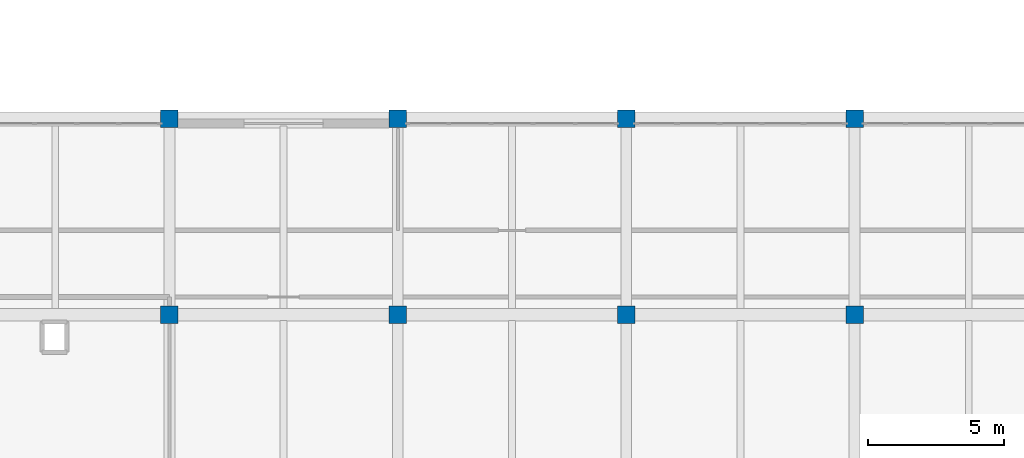
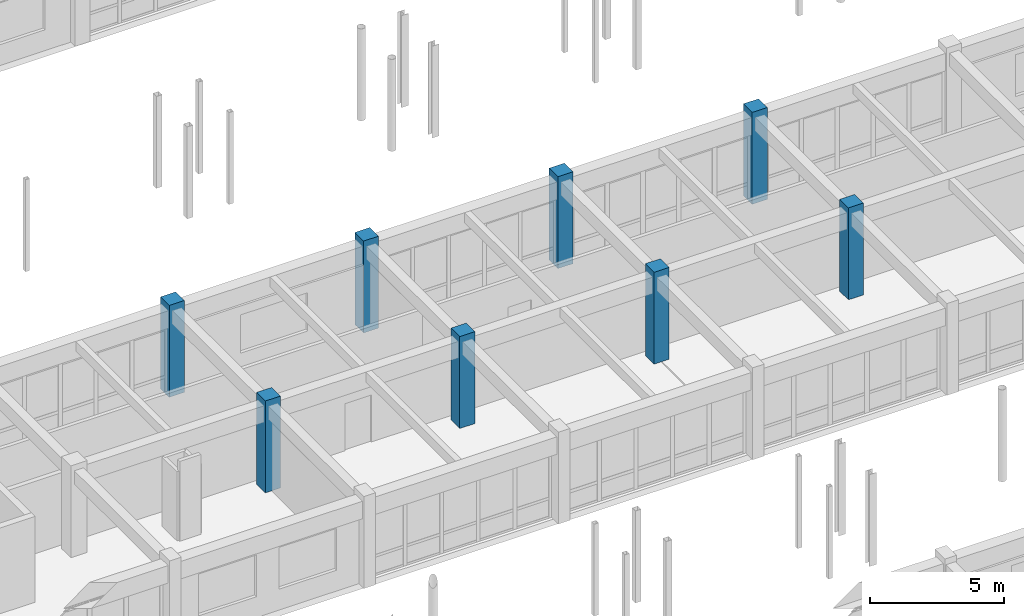
# One storey, part 14 of 147: 8 columns.
"""IFC4 building model written with IfcOpenShell, lengths in metres."""

import ifcopenshell
import ifcopenshell.guid

model = None  # the IFC model being written
_history = None  # IfcOwnerHistory: only IFC2X3 demands one
_inside = {}  # id of a spatial element -> (the spatial element, [elements in it])
_under = {}  # id of a project, library or spatial element -> (it, [spatial elements below it])
_declared = {}  # id of a project -> (the project, [libraries it declares])
_typed = {}  # id of a type object -> (the type object, [elements of that type])
_made_of = {}  # id of a material, layer set ... -> (it, [elements and type objects made of it])


def new_model(schema):
    """Start an empty IFC model of exactly this schema.

    Asked for "IFC4X3", IfcOpenShell would pick the latest addendum, in which some entities
    have other attributes; the version numbers below select the first issue.
    IFC2X3 requires an IfcOwnerHistory on every rooted entity: one is made here for all.
    """
    global model, _history
    if schema == "IFC4X3":
        model = ifcopenshell.file(schema_version=(4, 3, 0, 0))
    else:
        model = ifcopenshell.file(schema=schema)
    _inside.clear()
    _under.clear()
    _declared.clear()
    _typed.clear()
    _made_of.clear()
    _history = None
    if model.schema == "IFC2X3":
        org = make("IfcOrganization", Name="unknown")
        user = make(
            "IfcPersonAndOrganization",
            ThePerson=make("IfcPerson", FamilyName="unknown"),
            TheOrganization=org,
        )
        app = make(
            "IfcApplication",
            ApplicationDeveloper=org,
            Version="unknown",
            ApplicationFullName="unknown",
            ApplicationIdentifier="unknown",
        )
        _history = make(
            "IfcOwnerHistory",
            OwningUser=user,
            OwningApplication=app,
            ChangeAction="ADDED",
            CreationDate=0,
        )
    return model


def make(cls, **values):
    """One entity of the class cls with the attributes given. An attribute that is None is left unset."""
    return model.create_entity(
        cls, **{name: value for name, value in values.items() if value is not None}
    )


def rooted(cls, **values):
    """An entity with a GlobalId (a new one), such as an element, a storey or a relation."""
    return make(cls, GlobalId=ifcopenshell.guid.new(), OwnerHistory=_history, **values)


def si_unit(unit_type, name, prefix=None):
    """IfcSIUnit, for example si_unit("LENGTHUNIT", "METRE", prefix="MILLI")."""
    return make("IfcSIUnit", UnitType=unit_type, Prefix=prefix, Name=name)


def assignment(units):
    """IfcUnitAssignment: the units of a project."""
    return None if units is None else make("IfcUnitAssignment", Units=units)


def point(xyz):
    """IfcCartesianPoint."""
    return None if xyz is None else make("IfcCartesianPoint", Coordinates=xyz)


def direction(xyz):
    """IfcDirection."""
    return None if xyz is None else make("IfcDirection", DirectionRatios=xyz)


def frame(location, z_axis=None, x_axis=None):
    """IfcAxis2Placement3D, a coordinate frame: its origin and axes. An axis left out is left unset."""
    return make(
        "IfcAxis2Placement3D",
        Location=point(location),
        Axis=direction(z_axis),
        RefDirection=direction(x_axis),
    )


def frame_2d(location, x_axis=None):
    """IfcAxis2Placement2D, a coordinate frame in the plane: its origin and x axis."""
    return make(
        "IfcAxis2Placement2D", Location=point(location), RefDirection=direction(x_axis)
    )


def origin():
    """The frame at (0, 0, 0) with its axes left unset."""
    return frame((0.0, 0.0, 0.0))


def origin_2d():
    """The frame at (0, 0) in the plane with its x axis left unset."""
    return frame_2d((0.0, 0.0))


def place(relative_to, where):
    """IfcLocalPlacement: puts the frame where relative to a parent placement (None: the world)."""
    return make(
        "IfcLocalPlacement", PlacementRelTo=relative_to, RelativePlacement=where
    )


def context(
    kind, dimensions, precision=None, world=None, true_north=None, identifier=None
):
    """IfcGeometricRepresentationContext, for example the 3D "Model" context."""
    return make(
        "IfcGeometricRepresentationContext",
        ContextIdentifier=identifier,
        ContextType=kind,
        CoordinateSpaceDimension=dimensions,
        Precision=precision,
        WorldCoordinateSystem=world,
        TrueNorth=true_north,
    )


def subcontext(parent, identifier, kind, view, scale=None):
    """IfcGeometricRepresentationSubContext, for example "Body" below "Model"."""
    return make(
        "IfcGeometricRepresentationSubContext",
        ContextIdentifier=identifier,
        ContextType=kind,
        ParentContext=parent,
        TargetScale=scale,
        TargetView=view,
    )


def project(units=None, contexts=None):
    """IfcProject with its units and contexts."""
    return rooted(
        "IfcProject",
        Name="project",
        RepresentationContexts=contexts,
        UnitsInContext=assignment(units),
    )


def spatial(cls, under=None, at=None, **own):
    """A site, building, storey or space (cls), placed at a placement, below another one or the project."""
    s = rooted(cls, ObjectPlacement=at, **own)
    if under is not None:
        _under.setdefault(under.id(), (under, []))[1].append(s)
    return s


def profile(cls, at=None, kind="AREA", **sizes):
    """A parametric profile (cls). Its sizes go by their IFC names, for example OverallWidth=200.0."""
    return make(cls, ProfileType=kind, Position=at, **sizes)


def rectangle(**sizes):
    """IfcRectangleProfileDef."""
    return profile("IfcRectangleProfileDef", **sizes)


def extrude(swept, where, along, depth):
    """IfcExtrudedAreaSolid: the profile swept, set in the frame where, extruded along a direction by depth."""
    return make(
        "IfcExtrudedAreaSolid",
        SweptArea=swept,
        Position=where,
        ExtrudedDirection=direction(along),
        Depth=depth,
    )


def shape(context_of_items, identifier, shape_type, items):
    """IfcShapeRepresentation: the items that make up one representation, for example the "Body"."""
    return make(
        "IfcShapeRepresentation",
        ContextOfItems=context_of_items,
        RepresentationIdentifier=identifier,
        RepresentationType=shape_type,
        Items=items,
    )


def material(Name=None, Category=None):
    """IfcMaterial."""
    return make("IfcMaterial", Name=Name, Category=Category)


def material_profile(
    of_material, cross_section, Name=None, Category=None, Priority=None
):
    """IfcMaterialProfile: a cross section and its material."""
    return make(
        "IfcMaterialProfile",
        Name=Name,
        Material=of_material,
        Profile=cross_section,
        Priority=Priority,
        Category=Category,
    )


def profile_set(profiles, Name=None, composite=None):
    """IfcMaterialProfileSet."""
    return make(
        "IfcMaterialProfileSet",
        Name=Name,
        MaterialProfiles=profiles,
        CompositeProfile=composite,
    )


def made_of(thing, what):
    """Note that an element or type object is made of a material, layer set ...; save() writes the relation."""
    if what is not None:
        _made_of.setdefault(what.id(), (what, []))[1].append(thing)
    return thing


def type_object(cls, material=None, **own):
    """A type object (cls), such as IfcWallType, which elements share."""
    return made_of(rooted(cls, **own), material)


def element(
    cls,
    number,
    at=None,
    inside=None,
    cuts=None,
    type_object=None,
    material=None,
    context=None,
    identifier="Body",
    shape_type=None,
    held_by="IfcProductDefinitionShape",
    body=None,
    shapes=None,
    **own,
):
    """One element of the class cls, such as IfcWall. Its Tag is "e" and its number.

    at: its placement. inside: the storey or other place that contains it. cuts: it is an
    opening in that element (IfcRelVoidsElement). A single representation is given by context,
    identifier, shape_type and body (its items); several are given by shapes. held_by: the class
    of the entity that holds the representations. save() writes the other relations.
    """
    e = rooted(cls, Tag="e%d" % number, ObjectPlacement=at, **own)
    if body is not None:
        shapes = [shape(context, identifier, shape_type, body)]
    if shapes is not None:
        e.Representation = make(held_by, Representations=shapes)
    if inside is not None:
        _inside.setdefault(inside.id(), (inside, []))[1].append(e)
    if cuts is not None:
        rooted(
            "IfcRelVoidsElement", RelatingBuildingElement=cuts, RelatedOpeningElement=e
        )
    if type_object is not None:
        _typed.setdefault(type_object.id(), (type_object, []))[1].append(e)
    return made_of(e, material)


def aggregate(whole, parts):
    """IfcRelAggregates: a whole, such as a stair, and the parts it consists of."""
    return rooted("IfcRelAggregates", RelatingObject=whole, RelatedObjects=parts)


def save(model, path):
    """Write the relations noted so far, then the file.

    IfcRelAggregates (storeys below a building ...), IfcRelContainedInSpatialStructure (elements
    in a storey), IfcRelDefinesByType, IfcRelAssociatesMaterial and IfcRelDeclares: one each for
    every whole, place, type object, material and project.
    """
    for whole, parts in _under.values():
        aggregate(whole, parts)
    for where, things in _inside.values():
        rooted(
            "IfcRelContainedInSpatialStructure",
            RelatedElements=things,
            RelatingStructure=where,
        )
    for kind, things in _typed.values():
        rooted("IfcRelDefinesByType", RelatedObjects=things, RelatingType=kind)
    for what, things in _made_of.values():
        rooted("IfcRelAssociatesMaterial", RelatedObjects=things, RelatingMaterial=what)
    for by, libraries in _declared.values():
        rooted("IfcRelDeclares", RelatingContext=by, RelatedDefinitions=libraries)
    model.write(path)


model = new_model("IFC4")

# Units and contexts
model_context = context("Model", 3, precision=1e-05, world=origin(), true_north=direction((0.0, 1.0)))
body_context = subcontext(model_context, "Body", "Model", "MODEL_VIEW")
ifc_project = project(units=[si_unit("LENGTHUNIT", "METRE"), si_unit("AREAUNIT", "SQUARE_METRE"), si_unit("VOLUMEUNIT", "CUBIC_METRE"), si_unit("PLANEANGLEUNIT", "RADIAN"), si_unit("MASSUNIT", "GRAM", prefix="KILO")], contexts=[model_context])

# Site, building, storey
site_placement = place(None, origin())
site = spatial("IfcSite", under=ifc_project, at=site_placement, CompositionType="ELEMENT")
building_placement = place(site_placement, origin())
building = spatial("IfcBuilding", under=site, at=building_placement, Name="Malvenik Polytechnic", CompositionType="ELEMENT")
storey_placement = place(building_placement, frame((0.0, 0.0, 5.10009765625)))
storey = spatial("IfcBuildingStorey", under=building, at=storey_placement, Name="L01", CompositionType="ELEMENT", Elevation=5.10009765625)

# Columns
ifc_material = material(Name="Concrete C35/45", Category="concrete")
ifc_material_profile = material_profile(ifc_material, rectangle(XDim=0.64990234375, YDim=0.64990234375, at=origin_2d()), Name="RC COL 650x650")
ifc_profile_set = profile_set([ifc_material_profile], Name="Concrete C35/45")
column_type = type_object("IfcColumnType", Name="STR-COL-C-05", PredefinedType="COLUMN", material=ifc_profile_set)
for number, where, z_axis, x_axis, name in (
    (1, (33.60009765625, 86.39990234375, 0.0), (0.0, 0.0, 1.0), (1.0, 0.0, 0.0), "Column C-05 L01 (33.6,86.4)"),
    (2, (33.60009765625, 93.60009765625, 0.0), (0.0, 0.0, 1.0), (1.0, 0.0, 0.0), "Column C-05 L01 (33.6,93.6)"),
    (3, (42.0, 86.39990234375, 0.0), (0.0, 0.0, 1.0), (1.0, 0.0, 0.0), "Column C-05 L01 (42.0,86.4)"),
    (4, (42.0, 93.60009765625, 0.0), (0.0, 0.0, 1.0), (1.0, 0.0, 0.0), "Column C-05 L01 (42.0,93.6)"),
    (5, (50.39990234375, 86.39990234375, 0.0), (0.0, 0.0, 1.0), (1.0, 0.0, 0.0), "Column C-05 L01 (50.4,86.4)"),
    (6, (50.39990234375, 93.60009765625, 0.0), (0.0, 0.0, 1.0), (1.0, 0.0, 0.0), "Column C-05 L01 (50.4,93.6)"),
    (7, (58.800048828125, 86.39990234375, 0.0), (0.0, 0.0, 1.0), (1.0, 0.0, 0.0), "Column C-05 L01 (58.8,86.4)"),
    (8, (58.800048828125, 93.60009765625, 0.0), (0.0, 0.0, 1.0), (1.0, 0.0, 0.0), "Column C-05 L01 (58.8,93.6)"),
):
    element("IfcColumn", number, at=place(storey_placement, frame(where, z_axis=z_axis, x_axis=x_axis)), inside=storey, type_object=column_type, Name=name, PredefinedType="COLUMN", context=body_context, shape_type="SweptSolid", body=[
        extrude(rectangle(XDim=0.64990234375, YDim=0.64990234375, at=origin_2d()), origin(), (0.0, 0.0, 1.0), 4.199951171875),
    ])

save(model, "model.ifc")
